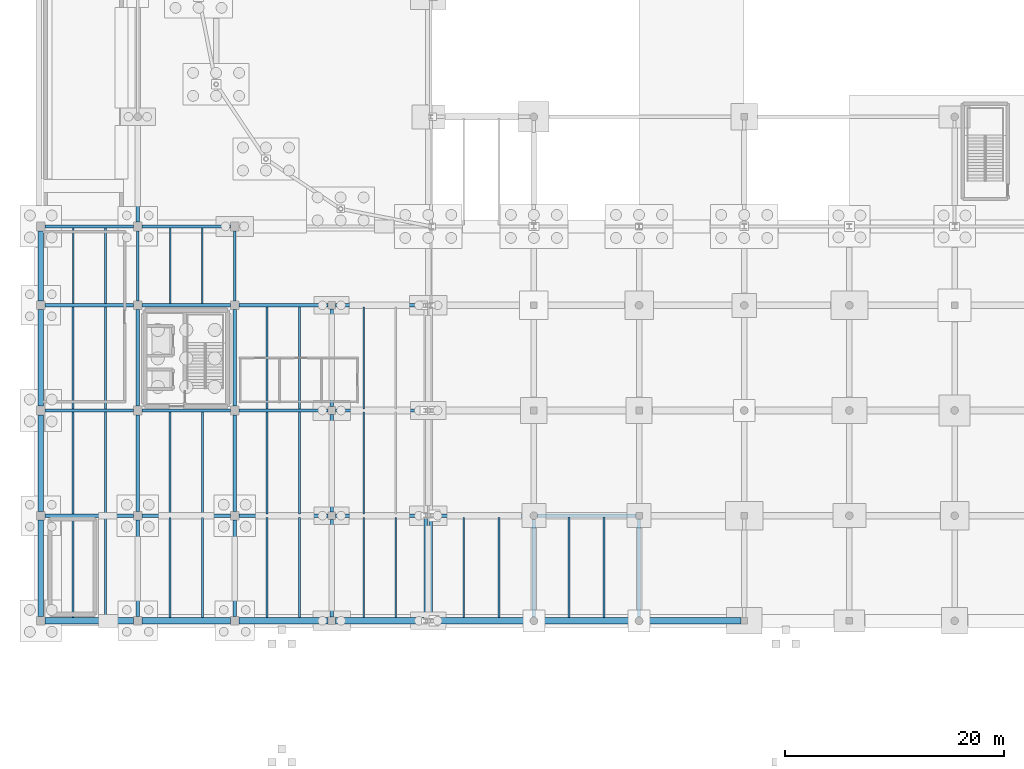
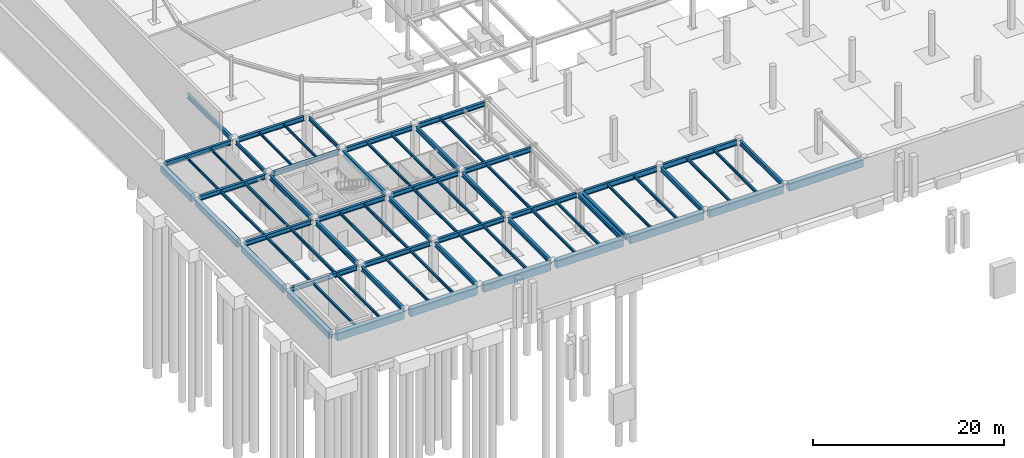
# One storey, part 31 of 50: 71 beams.
"""IFC4 building model written with IfcOpenShell, lengths in metres."""

import ifcopenshell
import ifcopenshell.guid

model = None  # the IFC model being written
_history = None  # IfcOwnerHistory: only IFC2X3 demands one
_inside = {}  # id of a spatial element -> (the spatial element, [elements in it])
_under = {}  # id of a project, library or spatial element -> (it, [spatial elements below it])
_declared = {}  # id of a project -> (the project, [libraries it declares])
_typed = {}  # id of a type object -> (the type object, [elements of that type])
_made_of = {}  # id of a material, layer set ... -> (it, [elements and type objects made of it])


def new_model(schema):
    """Start an empty IFC model of exactly this schema.

    Asked for "IFC4X3", IfcOpenShell would pick the latest addendum, in which some entities
    have other attributes; the version numbers below select the first issue.
    IFC2X3 requires an IfcOwnerHistory on every rooted entity: one is made here for all.
    """
    global model, _history
    if schema == "IFC4X3":
        model = ifcopenshell.file(schema_version=(4, 3, 0, 0))
    else:
        model = ifcopenshell.file(schema=schema)
    _inside.clear()
    _under.clear()
    _declared.clear()
    _typed.clear()
    _made_of.clear()
    _history = None
    if model.schema == "IFC2X3":
        org = make("IfcOrganization", Name="unknown")
        user = make(
            "IfcPersonAndOrganization",
            ThePerson=make("IfcPerson", FamilyName="unknown"),
            TheOrganization=org,
        )
        app = make(
            "IfcApplication",
            ApplicationDeveloper=org,
            Version="unknown",
            ApplicationFullName="unknown",
            ApplicationIdentifier="unknown",
        )
        _history = make(
            "IfcOwnerHistory",
            OwningUser=user,
            OwningApplication=app,
            ChangeAction="ADDED",
            CreationDate=0,
        )
    return model


def make(cls, **values):
    """One entity of the class cls with the attributes given. An attribute that is None is left unset."""
    return model.create_entity(
        cls, **{name: value for name, value in values.items() if value is not None}
    )


def rooted(cls, **values):
    """An entity with a GlobalId (a new one), such as an element, a storey or a relation."""
    return make(cls, GlobalId=ifcopenshell.guid.new(), OwnerHistory=_history, **values)


def si_unit(unit_type, name, prefix=None):
    """IfcSIUnit, for example si_unit("LENGTHUNIT", "METRE", prefix="MILLI")."""
    return make("IfcSIUnit", UnitType=unit_type, Prefix=prefix, Name=name)


def assignment(units):
    """IfcUnitAssignment: the units of a project."""
    return None if units is None else make("IfcUnitAssignment", Units=units)


def point(xyz):
    """IfcCartesianPoint."""
    return None if xyz is None else make("IfcCartesianPoint", Coordinates=xyz)


def direction(xyz):
    """IfcDirection."""
    return None if xyz is None else make("IfcDirection", DirectionRatios=xyz)


def frame(location, z_axis=None, x_axis=None):
    """IfcAxis2Placement3D, a coordinate frame: its origin and axes. An axis left out is left unset."""
    return make(
        "IfcAxis2Placement3D",
        Location=point(location),
        Axis=direction(z_axis),
        RefDirection=direction(x_axis),
    )


def frame_2d(location, x_axis=None):
    """IfcAxis2Placement2D, a coordinate frame in the plane: its origin and x axis."""
    return make(
        "IfcAxis2Placement2D", Location=point(location), RefDirection=direction(x_axis)
    )


def origin():
    """The frame at (0, 0, 0) with its axes left unset."""
    return frame((0.0, 0.0, 0.0))


def origin_2d():
    """The frame at (0, 0) in the plane with its x axis left unset."""
    return frame_2d((0.0, 0.0))


def place(relative_to, where):
    """IfcLocalPlacement: puts the frame where relative to a parent placement (None: the world)."""
    return make(
        "IfcLocalPlacement", PlacementRelTo=relative_to, RelativePlacement=where
    )


def context(
    kind, dimensions, precision=None, world=None, true_north=None, identifier=None
):
    """IfcGeometricRepresentationContext, for example the 3D "Model" context."""
    return make(
        "IfcGeometricRepresentationContext",
        ContextIdentifier=identifier,
        ContextType=kind,
        CoordinateSpaceDimension=dimensions,
        Precision=precision,
        WorldCoordinateSystem=world,
        TrueNorth=true_north,
    )


def subcontext(parent, identifier, kind, view, scale=None):
    """IfcGeometricRepresentationSubContext, for example "Body" below "Model"."""
    return make(
        "IfcGeometricRepresentationSubContext",
        ContextIdentifier=identifier,
        ContextType=kind,
        ParentContext=parent,
        TargetScale=scale,
        TargetView=view,
    )


def project(units=None, contexts=None):
    """IfcProject with its units and contexts."""
    return rooted(
        "IfcProject",
        Name="project",
        RepresentationContexts=contexts,
        UnitsInContext=assignment(units),
    )


def spatial(cls, under=None, at=None, **own):
    """A site, building, storey or space (cls), placed at a placement, below another one or the project."""
    s = rooted(cls, ObjectPlacement=at, **own)
    if under is not None:
        _under.setdefault(under.id(), (under, []))[1].append(s)
    return s


def profile(cls, at=None, kind="AREA", **sizes):
    """A parametric profile (cls). Its sizes go by their IFC names, for example OverallWidth=200.0."""
    return make(cls, ProfileType=kind, Position=at, **sizes)


def rectangle(**sizes):
    """IfcRectangleProfileDef."""
    return profile("IfcRectangleProfileDef", **sizes)


def i_section(**sizes):
    """IfcIShapeProfileDef."""
    return profile("IfcIShapeProfileDef", **sizes)


def extrude(swept, where, along, depth):
    """IfcExtrudedAreaSolid: the profile swept, set in the frame where, extruded along a direction by depth."""
    return make(
        "IfcExtrudedAreaSolid",
        SweptArea=swept,
        Position=where,
        ExtrudedDirection=direction(along),
        Depth=depth,
    )


def shape(context_of_items, identifier, shape_type, items):
    """IfcShapeRepresentation: the items that make up one representation, for example the "Body"."""
    return make(
        "IfcShapeRepresentation",
        ContextOfItems=context_of_items,
        RepresentationIdentifier=identifier,
        RepresentationType=shape_type,
        Items=items,
    )


def material(Name=None, Category=None):
    """IfcMaterial."""
    return make("IfcMaterial", Name=Name, Category=Category)


def material_profile(
    of_material, cross_section, Name=None, Category=None, Priority=None
):
    """IfcMaterialProfile: a cross section and its material."""
    return make(
        "IfcMaterialProfile",
        Name=Name,
        Material=of_material,
        Profile=cross_section,
        Priority=Priority,
        Category=Category,
    )


def profile_set(profiles, Name=None, composite=None):
    """IfcMaterialProfileSet."""
    return make(
        "IfcMaterialProfileSet",
        Name=Name,
        MaterialProfiles=profiles,
        CompositeProfile=composite,
    )


def made_of(thing, what):
    """Note that an element or type object is made of a material, layer set ...; save() writes the relation."""
    if what is not None:
        _made_of.setdefault(what.id(), (what, []))[1].append(thing)
    return thing


def type_object(cls, material=None, **own):
    """A type object (cls), such as IfcWallType, which elements share."""
    return made_of(rooted(cls, **own), material)


def element(
    cls,
    number,
    at=None,
    inside=None,
    cuts=None,
    type_object=None,
    material=None,
    context=None,
    identifier="Body",
    shape_type=None,
    held_by="IfcProductDefinitionShape",
    body=None,
    shapes=None,
    **own,
):
    """One element of the class cls, such as IfcWall. Its Tag is "e" and its number.

    at: its placement. inside: the storey or other place that contains it. cuts: it is an
    opening in that element (IfcRelVoidsElement). A single representation is given by context,
    identifier, shape_type and body (its items); several are given by shapes. held_by: the class
    of the entity that holds the representations. save() writes the other relations.
    """
    e = rooted(cls, Tag="e%d" % number, ObjectPlacement=at, **own)
    if body is not None:
        shapes = [shape(context, identifier, shape_type, body)]
    if shapes is not None:
        e.Representation = make(held_by, Representations=shapes)
    if inside is not None:
        _inside.setdefault(inside.id(), (inside, []))[1].append(e)
    if cuts is not None:
        rooted(
            "IfcRelVoidsElement", RelatingBuildingElement=cuts, RelatedOpeningElement=e
        )
    if type_object is not None:
        _typed.setdefault(type_object.id(), (type_object, []))[1].append(e)
    return made_of(e, material)


def aggregate(whole, parts):
    """IfcRelAggregates: a whole, such as a stair, and the parts it consists of."""
    return rooted("IfcRelAggregates", RelatingObject=whole, RelatedObjects=parts)


def save(model, path):
    """Write the relations noted so far, then the file.

    IfcRelAggregates (storeys below a building ...), IfcRelContainedInSpatialStructure (elements
    in a storey), IfcRelDefinesByType, IfcRelAssociatesMaterial and IfcRelDeclares: one each for
    every whole, place, type object, material and project.
    """
    for whole, parts in _under.values():
        aggregate(whole, parts)
    for where, things in _inside.values():
        rooted(
            "IfcRelContainedInSpatialStructure",
            RelatedElements=things,
            RelatingStructure=where,
        )
    for kind, things in _typed.values():
        rooted("IfcRelDefinesByType", RelatedObjects=things, RelatingType=kind)
    for what, things in _made_of.values():
        rooted("IfcRelAssociatesMaterial", RelatedObjects=things, RelatingMaterial=what)
    for by, libraries in _declared.values():
        rooted("IfcRelDeclares", RelatingContext=by, RelatedDefinitions=libraries)
    model.write(path)


model = new_model("IFC4")

# Units and contexts
model_context = context("Model", 3, precision=1e-05, world=origin(), true_north=direction((0.0, 1.0)))
body_context = subcontext(model_context, "Body", "Model", "MODEL_VIEW")
ifc_project = project(units=[si_unit("LENGTHUNIT", "METRE"), si_unit("AREAUNIT", "SQUARE_METRE"), si_unit("VOLUMEUNIT", "CUBIC_METRE"), si_unit("PLANEANGLEUNIT", "RADIAN"), si_unit("MASSUNIT", "GRAM", prefix="KILO")], contexts=[model_context])

# Site, building, storey
site_placement = place(None, origin())
site = spatial("IfcSite", under=ifc_project, at=site_placement, CompositionType="ELEMENT")
building_placement = place(site_placement, origin())
building = spatial("IfcBuilding", under=site, at=building_placement, Name="Yeouljin Market Hall", CompositionType="ELEMENT")
storey_placement = place(building_placement, frame((0.0, 0.0, -5.39990234375)))
storey = spatial("IfcBuildingStorey", under=building, at=storey_placement, Name="B1", CompositionType="ELEMENT", Elevation=-5.39990234375)

# Beams
ifc_material_1 = material(Name="Steel SM355", Category="steel")
ifc_material_profile_1 = material_profile(ifc_material_1, i_section(OverallWidth=0.199951171875, OverallDepth=0.449951171875, WebThickness=0.009033203125, FlangeThickness=0.013916015625, FilletRadius=0.01806640625, at=origin_2d()), Name="H-450x200x9x14")
ifc_profile_set_1 = profile_set([ifc_material_profile_1], Name="Steel SM355")
beam_type_1 = type_object("IfcBeamType", Name="Beam_H-450x200x9x14", PredefinedType="BEAM", material=ifc_profile_set_1)
for number, where, z_axis, x_axis, name in (
    (1, (8.85009765625, 29.199951171875, 4.914794921875), (0.0, 1.0, 0.0), (-1.0, 0.0, 0.0), "Primary beam BM-L00-Y145"),
    (2, (17.699951171875, 29.199951171875, 4.9248046875), (0.0, 1.0, 0.0), (-1.0, 0.0, 0.0), "Primary beam BM-L00-Y155"),
):
    element("IfcBeam", number, at=place(storey_placement, frame(where, z_axis=z_axis, x_axis=x_axis)), inside=storey, type_object=beam_type_1, Name=name, PredefinedType="BEAM", context=body_context, shape_type="SweptSolid", body=[
        extrude(i_section(OverallWidth=0.199951171875, OverallDepth=0.449951171875, WebThickness=0.009033203125, FlangeThickness=0.013916015625, FilletRadius=0.01806640625, at=origin_2d()), origin(), (0.0, 0.0, 1.0), 6.400146484375),
    ])
ifc_material_2 = material(Name="Concrete C30/37", Category="concrete")
ifc_material_profile_2 = material_profile(ifc_material_2, rectangle(XDim=0.5, YDim=0.800048828125, at=origin_2d()), Name="RC-500x800")
ifc_profile_set_2 = profile_set([ifc_material_profile_2], Name="Concrete C30/37")
beam_type_2 = type_object("IfcBeamType", Name="Beam_RC-500x800", PredefinedType="BEAM", material=ifc_profile_set_2)
for number, where, z_axis, x_axis, name in (
    (3, (0.0, 0.39990234375, 4.75), (0.0, 1.0, 0.0), (-1.0, 0.0, 0.0), "Primary beam BM-L00-Y137"),
    (4, (0.0, 10.0, 4.75), (0.0, 1.0, 0.0), (-1.0, 0.0, 0.0), "Primary beam BM-L00-Y138"),
):
    element("IfcBeam", number, at=place(storey_placement, frame(where, z_axis=z_axis, x_axis=x_axis)), inside=storey, type_object=beam_type_2, Name=name, PredefinedType="BEAM", context=body_context, shape_type="SweptSolid", body=[
        extrude(rectangle(XDim=0.5, YDim=0.800048828125, at=origin_2d()), origin(), (0.0, 0.0, 1.0), 8.800048828125),
    ])
beam_1_placement = place(storey_placement, frame((0.0, 19.60009765625, 4.75), z_axis=(0.0, 1.0, 0.0), x_axis=(-1.0, 0.0, 0.0)))
element("IfcBeam", 5, at=beam_1_placement, inside=storey, type_object=beam_type_2, Name="Primary beam BM-L00-Y139", PredefinedType="BEAM", context=body_context, shape_type="SweptSolid", body=[
    extrude(rectangle(XDim=0.5, YDim=0.800048828125, at=origin_2d()), origin(), (0.0, 0.0, 1.0), 8.7998046875),
])
beam_2_placement = place(storey_placement, frame((0.0, 29.199951171875, 4.739990234375), z_axis=(0.0, 1.0, 0.0), x_axis=(-1.0, 0.0, 0.0)))
element("IfcBeam", 6, at=beam_2_placement, inside=storey, type_object=beam_type_2, Name="Primary beam BM-L00-Y140", PredefinedType="BEAM", context=body_context, shape_type="SweptSolid", body=[
    extrude(rectangle(XDim=0.5, YDim=0.800048828125, at=origin_2d()), origin(), (0.0, 0.0, 1.0), 6.400146484375),
])
ifc_material_3 = material(Name="Steel SM355", Category="steel")
ifc_material_profile_3 = material_profile(ifc_material_3, i_section(OverallWidth=0.300048828125, OverallDepth=0.587890625, WebThickness=0.011962890625, FlangeThickness=0.02001953125, FilletRadius=0.02392578125, at=origin_2d()), Name="H-588x300x12x20")
ifc_profile_set_3 = profile_set([ifc_material_profile_3], Name="Steel SM355")
beam_type_3 = type_object("IfcBeamType", Name="Girder_H-588x300x12x20", PredefinedType="USERDEFINED", material=ifc_profile_set_3)
for number, where, z_axis, x_axis, name in (
    (7, (0.39990234375, 9.60009765625, 4.85595703125), (1.0, 0.0, 0.0), (0.0, 1.0, 0.0), "Primary girder GRD-L00-X015"),
    (8, (9.25, 9.60009765625, 4.85595703125), (1.0, 0.0, 0.0), (0.0, 1.0, 0.0), "Primary girder GRD-L00-X016"),
):
    element("IfcBeam", number, at=place(storey_placement, frame(where, z_axis=z_axis, x_axis=x_axis)), inside=storey, type_object=beam_type_3, Name=name, ObjectType="GIRDER", PredefinedType="USERDEFINED", context=body_context, shape_type="SweptSolid", body=[
        extrude(i_section(OverallWidth=0.300048828125, OverallDepth=0.587890625, WebThickness=0.011962890625, FlangeThickness=0.02001953125, FilletRadius=0.02392578125, at=origin_2d()), origin(), (0.0, 0.0, 1.0), 8.050048828125),
    ])
beam_3_placement = place(storey_placement, frame((18.10009765625, 9.60009765625, 4.85595703125), z_axis=(1.0, 0.0, 0.0), x_axis=(0.0, 1.0, 0.0)))
element("IfcBeam", 9, at=beam_3_placement, inside=storey, type_object=beam_type_3, Name="Primary girder GRD-L00-X017", ObjectType="GIRDER", PredefinedType="USERDEFINED", context=body_context, shape_type="SweptSolid", body=[
    extrude(i_section(OverallWidth=0.300048828125, OverallDepth=0.587890625, WebThickness=0.011962890625, FlangeThickness=0.02001953125, FilletRadius=0.02392578125, at=origin_2d()), origin(), (0.0, 0.0, 1.0), 8.099853515625),
])
beam_4_placement = place(storey_placement, frame((26.89990234375, 9.60009765625, 4.85595703125), z_axis=(1.0, 0.0, 0.0), x_axis=(0.0, 1.0, 0.0)))
element("IfcBeam", 10, at=beam_4_placement, inside=storey, type_object=beam_type_3, Name="Primary girder GRD-L00-X018", ObjectType="GIRDER", PredefinedType="USERDEFINED", context=body_context, shape_type="SweptSolid", body=[
    extrude(i_section(OverallWidth=0.300048828125, OverallDepth=0.587890625, WebThickness=0.011962890625, FlangeThickness=0.02001953125, FilletRadius=0.02392578125, at=origin_2d()), origin(), (0.0, 0.0, 1.0), 8.05517578125),
])
for number, where, z_axis, x_axis, name in (
    (11, (0.39990234375, 19.199951171875, 4.85595703125), (1.0, 0.0, 0.0), (0.0, 1.0, 0.0), "Primary girder GRD-L00-X027"),
    (12, (9.25, 19.199951171875, 4.85595703125), (1.0, 0.0, 0.0), (0.0, 1.0, 0.0), "Primary girder GRD-L00-X028"),
):
    element("IfcBeam", number, at=place(storey_placement, frame(where, z_axis=z_axis, x_axis=x_axis)), inside=storey, type_object=beam_type_3, Name=name, ObjectType="GIRDER", PredefinedType="USERDEFINED", context=body_context, shape_type="SweptSolid", body=[
        extrude(i_section(OverallWidth=0.300048828125, OverallDepth=0.587890625, WebThickness=0.011962890625, FlangeThickness=0.02001953125, FilletRadius=0.02392578125, at=origin_2d()), origin(), (0.0, 0.0, 1.0), 8.050048828125),
    ])
beam_5_placement = place(storey_placement, frame((18.10009765625, 19.199951171875, 4.85595703125), z_axis=(1.0, 0.0, 0.0), x_axis=(0.0, 1.0, 0.0)))
element("IfcBeam", 13, at=beam_5_placement, inside=storey, type_object=beam_type_3, Name="Primary girder GRD-L00-X029", ObjectType="GIRDER", PredefinedType="USERDEFINED", context=body_context, shape_type="SweptSolid", body=[
    extrude(i_section(OverallWidth=0.300048828125, OverallDepth=0.587890625, WebThickness=0.011962890625, FlangeThickness=0.02001953125, FilletRadius=0.02392578125, at=origin_2d()), origin(), (0.0, 0.0, 1.0), 8.099853515625),
])
beam_6_placement = place(storey_placement, frame((26.89990234375, 19.199951171875, 4.85595703125), z_axis=(1.0, 0.0, 0.0), x_axis=(0.0, 1.0, 0.0)))
element("IfcBeam", 14, at=beam_6_placement, inside=storey, type_object=beam_type_3, Name="Primary girder GRD-L00-X030", ObjectType="GIRDER", PredefinedType="USERDEFINED", context=body_context, shape_type="SweptSolid", body=[
    extrude(i_section(OverallWidth=0.300048828125, OverallDepth=0.587890625, WebThickness=0.011962890625, FlangeThickness=0.02001953125, FilletRadius=0.02392578125, at=origin_2d()), origin(), (0.0, 0.0, 1.0), 8.05517578125),
])
for number, where, z_axis, x_axis, name in (
    (15, (0.39990234375, 28.800048828125, 4.845947265625), (1.0, 0.0, 0.0), (0.0, 1.0, 0.0), "Primary girder GRD-L00-X035"),
    (16, (9.25, 28.800048828125, 4.845947265625), (1.0, 0.0, 0.0), (0.0, 1.0, 0.0), "Primary girder GRD-L00-X036"),
):
    element("IfcBeam", number, at=place(storey_placement, frame(where, z_axis=z_axis, x_axis=x_axis)), inside=storey, type_object=beam_type_3, Name=name, ObjectType="GIRDER", PredefinedType="USERDEFINED", context=body_context, shape_type="SweptSolid", body=[
        extrude(i_section(OverallWidth=0.300048828125, OverallDepth=0.587890625, WebThickness=0.011962890625, FlangeThickness=0.02001953125, FilletRadius=0.02392578125, at=origin_2d()), origin(), (0.0, 0.0, 1.0), 8.050048828125),
    ])
beam_7_placement = place(storey_placement, frame((18.10009765625, 28.800048828125, 4.85595703125), z_axis=(1.0, 0.0, 0.0), x_axis=(0.0, 1.0, 0.0)))
element("IfcBeam", 17, at=beam_7_placement, inside=storey, type_object=beam_type_3, Name="Primary girder GRD-L00-X037", ObjectType="GIRDER", PredefinedType="USERDEFINED", context=body_context, shape_type="SweptSolid", body=[
    extrude(i_section(OverallWidth=0.300048828125, OverallDepth=0.587890625, WebThickness=0.011962890625, FlangeThickness=0.02001953125, FilletRadius=0.02392578125, at=origin_2d()), origin(), (0.0, 0.0, 1.0), 8.099853515625),
])
beam_8_placement = place(storey_placement, frame((26.89990234375, 28.800048828125, 4.85595703125), z_axis=(1.0, 0.0, 0.0), x_axis=(0.0, 1.0, 0.0)))
element("IfcBeam", 18, at=beam_8_placement, inside=storey, type_object=beam_type_3, Name="Primary girder GRD-L00-X038", ObjectType="GIRDER", PredefinedType="USERDEFINED", context=body_context, shape_type="SweptSolid", body=[
    extrude(i_section(OverallWidth=0.300048828125, OverallDepth=0.587890625, WebThickness=0.011962890625, FlangeThickness=0.02001953125, FilletRadius=0.02392578125, at=origin_2d()), origin(), (0.0, 0.0, 1.0), 8.05517578125),
])
for number, where, z_axis, x_axis, name in (
    (19, (0.39990234375, 36.0, 4.845947265625), (1.0, 0.0, 0.0), (0.0, 1.0, 0.0), "Primary girder GRD-L00-X043"),
    (20, (9.25, 36.0, 4.845947265625), (1.0, 0.0, 0.0), (0.0, 1.0, 0.0), "Primary girder GRD-L00-X044"),
):
    element("IfcBeam", number, at=place(storey_placement, frame(where, z_axis=z_axis, x_axis=x_axis)), inside=storey, type_object=beam_type_3, Name=name, ObjectType="GIRDER", PredefinedType="USERDEFINED", context=body_context, shape_type="SweptSolid", body=[
        extrude(i_section(OverallWidth=0.300048828125, OverallDepth=0.587890625, WebThickness=0.011962890625, FlangeThickness=0.02001953125, FilletRadius=0.02392578125, at=origin_2d()), origin(), (0.0, 0.0, 1.0), 8.050048828125),
    ])
for number, where, z_axis, x_axis, name in (
    (21, (8.85009765625, 0.39990234375, 4.85595703125), (0.0, 1.0, 0.0), (-1.0, 0.0, 0.0), "Primary beam BM-L00-Y142"),
    (22, (8.85009765625, 10.0, 4.85595703125), (0.0, 1.0, 0.0), (-1.0, 0.0, 0.0), "Primary beam BM-L00-Y143"),
):
    element("IfcBeam", number, at=place(storey_placement, frame(where, z_axis=z_axis, x_axis=x_axis)), inside=storey, type_object=beam_type_3, Name=name, ObjectType="GIRDER", PredefinedType="USERDEFINED", context=body_context, shape_type="SweptSolid", body=[
        extrude(i_section(OverallWidth=0.300048828125, OverallDepth=0.587890625, WebThickness=0.011962890625, FlangeThickness=0.02001953125, FilletRadius=0.02392578125, at=origin_2d()), origin(), (0.0, 0.0, 1.0), 8.800048828125),
    ])
beam_9_placement = place(storey_placement, frame((8.85009765625, 19.60009765625, 4.85595703125), z_axis=(0.0, 1.0, 0.0), x_axis=(-1.0, 0.0, 0.0)))
element("IfcBeam", 23, at=beam_9_placement, inside=storey, type_object=beam_type_3, Name="Primary beam BM-L00-Y144", ObjectType="GIRDER", PredefinedType="USERDEFINED", context=body_context, shape_type="SweptSolid", body=[
    extrude(i_section(OverallWidth=0.300048828125, OverallDepth=0.587890625, WebThickness=0.011962890625, FlangeThickness=0.02001953125, FilletRadius=0.02392578125, at=origin_2d()), origin(), (0.0, 0.0, 1.0), 8.7998046875),
])
beam_10_placement = place(storey_placement, frame((8.85009765625, 36.39990234375, 4.85595703125), z_axis=(0.0, 1.0, 0.0), x_axis=(-1.0, 0.0, 0.0)))
element("IfcBeam", 24, at=beam_10_placement, inside=storey, type_object=beam_type_3, Name="Primary beam BM-L00-Y146", ObjectType="GIRDER", PredefinedType="USERDEFINED", context=body_context, shape_type="SweptSolid", body=[
    extrude(i_section(OverallWidth=0.300048828125, OverallDepth=0.587890625, WebThickness=0.011962890625, FlangeThickness=0.02001953125, FilletRadius=0.02392578125, at=origin_2d()), origin(), (0.0, 0.0, 1.0), 9.25),
])
for number, where, z_axis, x_axis, name in (
    (25, (17.699951171875, 0.39990234375, 4.85595703125), (0.0, 1.0, 0.0), (-1.0, 0.0, 0.0), "Primary beam BM-L00-Y152"),
    (26, (17.699951171875, 10.0, 4.85595703125), (0.0, 1.0, 0.0), (-1.0, 0.0, 0.0), "Primary beam BM-L00-Y153"),
):
    element("IfcBeam", number, at=place(storey_placement, frame(where, z_axis=z_axis, x_axis=x_axis)), inside=storey, type_object=beam_type_3, Name=name, ObjectType="GIRDER", PredefinedType="USERDEFINED", context=body_context, shape_type="SweptSolid", body=[
        extrude(i_section(OverallWidth=0.300048828125, OverallDepth=0.587890625, WebThickness=0.011962890625, FlangeThickness=0.02001953125, FilletRadius=0.02392578125, at=origin_2d()), origin(), (0.0, 0.0, 1.0), 8.800048828125),
    ])
beam_11_placement = place(storey_placement, frame((17.699951171875, 19.60009765625, 4.85595703125), z_axis=(0.0, 1.0, 0.0), x_axis=(-1.0, 0.0, 0.0)))
element("IfcBeam", 27, at=beam_11_placement, inside=storey, type_object=beam_type_3, Name="Primary beam BM-L00-Y154", ObjectType="GIRDER", PredefinedType="USERDEFINED", context=body_context, shape_type="SweptSolid", body=[
    extrude(i_section(OverallWidth=0.300048828125, OverallDepth=0.587890625, WebThickness=0.011962890625, FlangeThickness=0.02001953125, FilletRadius=0.02392578125, at=origin_2d()), origin(), (0.0, 0.0, 1.0), 8.7998046875),
])
beam_12_placement = place(storey_placement, frame((26.550048828125, 0.35009765625, 4.85595703125), z_axis=(0.0, 1.0, 0.0), x_axis=(-1.0, 0.0, 0.0)))
element("IfcBeam", 28, at=beam_12_placement, inside=storey, type_object=beam_type_3, Name="Primary beam BM-L00-Y157", ObjectType="GIRDER", PredefinedType="USERDEFINED", context=body_context, shape_type="SweptSolid", body=[
    extrude(i_section(OverallWidth=0.300048828125, OverallDepth=0.587890625, WebThickness=0.011962890625, FlangeThickness=0.02001953125, FilletRadius=0.02392578125, at=origin_2d()), origin(), (0.0, 0.0, 1.0), 8.89990234375),
])
beam_13_placement = place(storey_placement, frame((26.550048828125, 9.949951171875, 4.85595703125), z_axis=(0.0, 1.0, 0.0), x_axis=(-1.0, 0.0, 0.0)))
element("IfcBeam", 29, at=beam_13_placement, inside=storey, type_object=beam_type_3, Name="Primary beam BM-L00-Y158", ObjectType="GIRDER", PredefinedType="USERDEFINED", context=body_context, shape_type="SweptSolid", body=[
    extrude(i_section(OverallWidth=0.300048828125, OverallDepth=0.587890625, WebThickness=0.011962890625, FlangeThickness=0.02001953125, FilletRadius=0.02392578125, at=origin_2d()), origin(), (0.0, 0.0, 1.0), 8.900146484375),
])
beam_14_placement = place(storey_placement, frame((26.550048828125, 19.550048828125, 4.85595703125), z_axis=(0.0, 1.0, 0.0), x_axis=(-1.0, 0.0, 0.0)))
element("IfcBeam", 30, at=beam_14_placement, inside=storey, type_object=beam_type_3, Name="Primary beam BM-L00-Y159", ObjectType="GIRDER", PredefinedType="USERDEFINED", context=body_context, shape_type="SweptSolid", body=[
    extrude(i_section(OverallWidth=0.300048828125, OverallDepth=0.587890625, WebThickness=0.011962890625, FlangeThickness=0.02001953125, FilletRadius=0.02392578125, at=origin_2d()), origin(), (0.0, 0.0, 1.0), 8.89990234375),
])
for number, where, z_axis, x_axis, name in (
    (31, (35.1298828125, 0.175048828125, 4.85595703125), (0.0, 1.0, 0.0), (-1.0, 0.0, 0.0), "Primary beam BM-L00-Y160"),
    (32, (35.590087890625, 0.175048828125, 4.85595703125), (0.0, 1.0, 0.0), (-1.0, 0.0, 0.0), "Primary beam BM-L00-Y163"),
):
    element("IfcBeam", number, at=place(storey_placement, frame(where, z_axis=z_axis, x_axis=x_axis)), inside=storey, type_object=beam_type_3, Name=name, ObjectType="GIRDER", PredefinedType="USERDEFINED", context=body_context, shape_type="SweptSolid", body=[
        extrude(i_section(OverallWidth=0.300048828125, OverallDepth=0.587890625, WebThickness=0.011962890625, FlangeThickness=0.02001953125, FilletRadius=0.02392578125, at=origin_2d()), origin(), (0.0, 0.0, 1.0), 9.25),
    ])
beam_15_placement = place(storey_placement, frame((45.0, 0.35009765625, 4.865966796875), z_axis=(0.0, 1.0, 0.0), x_axis=(-1.0, 0.0, 0.0)))
element("IfcBeam", 33, at=beam_15_placement, inside=storey, type_object=beam_type_3, Name="Primary beam BM-L00-Y172", ObjectType="GIRDER", PredefinedType="USERDEFINED", context=body_context, shape_type="SweptSolid", body=[
    extrude(i_section(OverallWidth=0.300048828125, OverallDepth=0.587890625, WebThickness=0.011962890625, FlangeThickness=0.02001953125, FilletRadius=0.02392578125, at=origin_2d()), origin(), (0.0, 0.0, 1.0), 8.89990234375),
])
beam_16_placement = place(storey_placement, frame((54.60009765625, 0.35009765625, 4.865966796875), z_axis=(0.0, 1.0, 0.0), x_axis=(-1.0, 0.0, 0.0)))
element("IfcBeam", 34, at=beam_16_placement, inside=storey, type_object=beam_type_3, Name="Primary beam BM-L00-Y179", ObjectType="GIRDER", PredefinedType="USERDEFINED", context=body_context, shape_type="SweptSolid", body=[
    extrude(i_section(OverallWidth=0.300048828125, OverallDepth=0.587890625, WebThickness=0.011962890625, FlangeThickness=0.02001953125, FilletRadius=0.02392578125, at=origin_2d()), origin(), (0.0, 0.0, 1.0), 8.949951171875),
])
ifc_material_4 = material(Name="Steel SM355", Category="steel")
ifc_material_profile_4 = material_profile(ifc_material_4, i_section(OverallWidth=0.300048828125, OverallDepth=0.699951171875, WebThickness=0.012939453125, FlangeThickness=0.02392578125, FilletRadius=0.02587890625, at=origin_2d()), Name="H-700x300x13x24")
ifc_profile_set_4 = profile_set([ifc_material_profile_4], Name="Steel SM355")
beam_type_4 = type_object("IfcBeamType", Name="Girder_H-700x300x13x24", PredefinedType="USERDEFINED", material=ifc_profile_set_4)
beam_17_placement = place(storey_placement, frame((35.764892578125, 9.60009765625, 4.809814453125), z_axis=(1.0, 0.0, 0.0), x_axis=(0.0, 1.0, 0.0)))
element("IfcBeam", 35, at=beam_17_placement, inside=storey, type_object=beam_type_4, Name="Primary girder GRD-L00-X019", ObjectType="GIRDER", PredefinedType="USERDEFINED", context=body_context, shape_type="SweptSolid", body=[
    extrude(i_section(OverallWidth=0.300048828125, OverallDepth=0.699951171875, WebThickness=0.012939453125, FlangeThickness=0.02392578125, FilletRadius=0.02587890625, at=origin_2d()), origin(), (0.0, 0.0, 1.0), 8.885009765625),
])
beam_18_placement = place(storey_placement, frame((45.35009765625, 9.60009765625, 4.809814453125), z_axis=(1.0, 0.0, 0.0), x_axis=(0.0, 1.0, 0.0)))
element("IfcBeam", 36, at=beam_18_placement, inside=storey, type_object=beam_type_4, Name="Primary girder GRD-L00-X020", ObjectType="GIRDER", PredefinedType="USERDEFINED", context=body_context, shape_type="SweptSolid", body=[
    extrude(i_section(OverallWidth=0.300048828125, OverallDepth=0.699951171875, WebThickness=0.012939453125, FlangeThickness=0.02392578125, FilletRadius=0.02587890625, at=origin_2d()), origin(), (0.0, 0.0, 1.0), 8.949951171875),
])
ifc_material_5 = material(Name="Concrete C35/45", Category="concrete")
ifc_material_profile_5 = material_profile(ifc_material_5, rectangle(XDim=0.60009765625, YDim=0.89990234375, at=origin_2d()), Name="RC-600x900")
ifc_profile_set_5 = profile_set([ifc_material_profile_5], Name="Concrete C35/45")
beam_type_5 = type_object("IfcBeamType", Name="Girder_RC-600x900", PredefinedType="USERDEFINED", material=ifc_profile_set_5)
for number, where, z_axis, x_axis, name in (
    (37, (0.39990234375, 0.0, 4.699951171875), (1.0, 0.0, 0.0), (0.0, 1.0, 0.0), "Primary girder GRD-L00-X001"),
    (38, (9.25, 0.0, 4.699951171875), (1.0, 0.0, 0.0), (0.0, 1.0, 0.0), "Primary girder GRD-L00-X002"),
):
    element("IfcBeam", number, at=place(storey_placement, frame(where, z_axis=z_axis, x_axis=x_axis)), inside=storey, type_object=beam_type_5, Name=name, ObjectType="GIRDER", PredefinedType="USERDEFINED", context=body_context, shape_type="SweptSolid", body=[
        extrude(rectangle(XDim=0.60009765625, YDim=0.89990234375, at=origin_2d()), origin(), (0.0, 0.0, 1.0), 8.050048828125),
    ])
beam_19_placement = place(storey_placement, frame((18.10009765625, 0.0, 4.699951171875), z_axis=(1.0, 0.0, 0.0), x_axis=(0.0, 1.0, 0.0)))
element("IfcBeam", 39, at=beam_19_placement, inside=storey, type_object=beam_type_5, Name="Primary girder GRD-L00-X003", ObjectType="GIRDER", PredefinedType="USERDEFINED", context=body_context, shape_type="SweptSolid", body=[
    extrude(rectangle(XDim=0.60009765625, YDim=0.89990234375, at=origin_2d()), origin(), (0.0, 0.0, 1.0), 8.099853515625),
])
beam_20_placement = place(storey_placement, frame((26.89990234375, 0.0, 4.699951171875), z_axis=(1.0, 0.0, 0.0), x_axis=(0.0, 1.0, 0.0)))
element("IfcBeam", 40, at=beam_20_placement, inside=storey, type_object=beam_type_5, Name="Primary girder GRD-L00-X004", ObjectType="GIRDER", PredefinedType="USERDEFINED", context=body_context, shape_type="SweptSolid", body=[
    extrude(rectangle(XDim=0.60009765625, YDim=0.89990234375, at=origin_2d()), origin(), (0.0, 0.0, 1.0), 8.05517578125),
])
beam_21_placement = place(storey_placement, frame((35.764892578125, 0.0, 4.7099609375), z_axis=(1.0, 0.0, 0.0), x_axis=(0.0, 1.0, 0.0)))
element("IfcBeam", 41, at=beam_21_placement, inside=storey, type_object=beam_type_5, Name="Primary girder GRD-L00-X005", ObjectType="GIRDER", PredefinedType="USERDEFINED", context=body_context, shape_type="SweptSolid", body=[
    extrude(rectangle(XDim=0.60009765625, YDim=0.89990234375, at=origin_2d()), origin(), (0.0, 0.0, 1.0), 8.885009765625),
])
beam_22_placement = place(storey_placement, frame((45.35009765625, 0.0, 4.7099609375), z_axis=(1.0, 0.0, 0.0), x_axis=(0.0, 1.0, 0.0)))
element("IfcBeam", 42, at=beam_22_placement, inside=storey, type_object=beam_type_5, Name="Primary girder GRD-L00-X006", ObjectType="GIRDER", PredefinedType="USERDEFINED", context=body_context, shape_type="SweptSolid", body=[
    extrude(rectangle(XDim=0.60009765625, YDim=0.89990234375, at=origin_2d()), origin(), (0.0, 0.0, 1.0), 8.89990234375),
])
beam_23_placement = place(storey_placement, frame((54.949951171875, 0.0, 4.7099609375), z_axis=(1.0, 0.0, 0.0), x_axis=(0.0, 1.0, 0.0)))
element("IfcBeam", 43, at=beam_23_placement, inside=storey, type_object=beam_type_5, Name="Primary girder GRD-L00-X007", ObjectType="GIRDER", PredefinedType="USERDEFINED", context=body_context, shape_type="SweptSolid", body=[
    extrude(rectangle(XDim=0.60009765625, YDim=0.89990234375, at=origin_2d()), origin(), (0.0, 0.0, 1.0), 8.949951171875),
])
ifc_material_6 = material(Name="Steel SM355", Category="steel")
ifc_material_profile_6 = material_profile(ifc_material_6, i_section(OverallWidth=0.14990234375, OverallDepth=0.300048828125, WebThickness=0.006591796875, FlangeThickness=0.009033203125, FilletRadius=0.012939453125, at=origin_2d()), Name="H-300x150x6.5x9")
ifc_profile_set_6 = profile_set([ifc_material_profile_6], Name="Steel SM355")
beam_type_6 = type_object("IfcBeamType", Name="Joist_H-300x150x6.5x9", PredefinedType="JOIST", material=ifc_profile_set_6)
for number, where, z_axis, x_axis, name in (
    (44, (2.949951171875, 28.947021484375, 4.989990234375), (0.0, 1.0, 0.0), (-1.0, 0.0, 0.0), "Secondary floor joist L00-007"),
    (45, (5.89990234375, 28.947021484375, 4.989990234375), (0.0, 1.0, 0.0), (-1.0, 0.0, 0.0), "Secondary floor joist L00-008"),
    (46, (11.800048828125, 28.947021484375, 4.989990234375), (0.0, 1.0, 0.0), (-1.0, 0.0, 0.0), "Secondary floor joist L00-015"),
    (47, (14.75, 28.947021484375, 4.989990234375), (0.0, 1.0, 0.0), (-1.0, 0.0, 0.0), "Secondary floor joist L00-016"),
):
    element("IfcBeam", number, at=place(storey_placement, frame(where, z_axis=z_axis, x_axis=x_axis)), inside=storey, type_object=beam_type_6, Name=name, PredefinedType="JOIST", context=body_context, shape_type="SweptSolid", body=[
        extrude(i_section(OverallWidth=0.14990234375, OverallDepth=0.300048828125, WebThickness=0.006591796875, FlangeThickness=0.009033203125, FilletRadius=0.012939453125, at=origin_2d()), origin(), (0.0, 0.0, 1.0), 6.906005859375),
    ])
ifc_material_7 = material(Name="Steel SM355", Category="steel")
ifc_material_profile_7 = material_profile(ifc_material_7, i_section(OverallWidth=0.175048828125, OverallDepth=0.35009765625, WebThickness=0.007080078125, FlangeThickness=0.010986328125, FilletRadius=0.013916015625, at=origin_2d()), Name="H-350x175x7x11")
ifc_profile_set_7 = profile_set([ifc_material_profile_7], Name="Steel SM355")
beam_type_7 = type_object("IfcBeamType", Name="Joist_H-350x175x7x11", PredefinedType="JOIST", material=ifc_profile_set_7)
for number, where, z_axis, x_axis, name in (
    (48, (2.949951171875, 0.297119140625, 4.974853515625), (0.0, 1.0, 0.0), (-1.0, 0.0, 0.0), "Secondary floor joist L00-001"),
    (49, (5.89990234375, 0.297119140625, 4.974853515625), (0.0, 1.0, 0.0), (-1.0, 0.0, 0.0), "Secondary floor joist L00-002"),
):
    element("IfcBeam", number, at=place(storey_placement, frame(where, z_axis=z_axis, x_axis=x_axis)), inside=storey, type_object=beam_type_7, Name=name, PredefinedType="JOIST", context=body_context, shape_type="SweptSolid", body=[
        extrude(i_section(OverallWidth=0.175048828125, OverallDepth=0.35009765625, WebThickness=0.007080078125, FlangeThickness=0.010986328125, FilletRadius=0.013916015625, at=origin_2d()), origin(), (0.0, 0.0, 1.0), 9.15576171875),
    ])
for number, where, z_axis, x_axis, name in (
    (50, (2.949951171875, 9.7470703125, 4.974853515625), (0.0, 1.0, 0.0), (-1.0, 0.0, 0.0), "Secondary floor joist L00-003"),
    (51, (5.89990234375, 9.7470703125, 4.974853515625), (0.0, 1.0, 0.0), (-1.0, 0.0, 0.0), "Secondary floor joist L00-004"),
):
    element("IfcBeam", number, at=place(storey_placement, frame(where, z_axis=z_axis, x_axis=x_axis)), inside=storey, type_object=beam_type_7, Name=name, PredefinedType="JOIST", context=body_context, shape_type="SweptSolid", body=[
        extrude(i_section(OverallWidth=0.175048828125, OverallDepth=0.35009765625, WebThickness=0.007080078125, FlangeThickness=0.010986328125, FilletRadius=0.013916015625, at=origin_2d()), origin(), (0.0, 0.0, 1.0), 9.305908203125),
    ])
for number, where, z_axis, x_axis, name in (
    (52, (2.949951171875, 19.346923828125, 4.96484375), (0.0, 1.0, 0.0), (-1.0, 0.0, 0.0), "Secondary floor joist L00-005"),
    (53, (5.89990234375, 19.346923828125, 4.96484375), (0.0, 1.0, 0.0), (-1.0, 0.0, 0.0), "Secondary floor joist L00-006"),
):
    element("IfcBeam", number, at=place(storey_placement, frame(where, z_axis=z_axis, x_axis=x_axis)), inside=storey, type_object=beam_type_7, Name=name, PredefinedType="JOIST", context=body_context, shape_type="SweptSolid", body=[
        extrude(i_section(OverallWidth=0.175048828125, OverallDepth=0.35009765625, WebThickness=0.007080078125, FlangeThickness=0.010986328125, FilletRadius=0.013916015625, at=origin_2d()), origin(), (0.0, 0.0, 1.0), 9.30615234375),
    ])
for number, where, z_axis, x_axis, name in (
    (54, (11.800048828125, 0.297119140625, 4.974853515625), (0.0, 1.0, 0.0), (-1.0, 0.0, 0.0), "Secondary floor joist L00-011"),
    (55, (14.75, 0.297119140625, 4.974853515625), (0.0, 1.0, 0.0), (-1.0, 0.0, 0.0), "Secondary floor joist L00-012"),
):
    element("IfcBeam", number, at=place(storey_placement, frame(where, z_axis=z_axis, x_axis=x_axis)), inside=storey, type_object=beam_type_7, Name=name, PredefinedType="JOIST", context=body_context, shape_type="SweptSolid", body=[
        extrude(i_section(OverallWidth=0.175048828125, OverallDepth=0.35009765625, WebThickness=0.007080078125, FlangeThickness=0.010986328125, FilletRadius=0.013916015625, at=origin_2d()), origin(), (0.0, 0.0, 1.0), 9.15576171875),
    ])
for number, where, z_axis, x_axis, name in (
    (56, (11.800048828125, 9.7470703125, 4.974853515625), (0.0, 1.0, 0.0), (-1.0, 0.0, 0.0), "Secondary floor joist L00-013"),
    (57, (14.75, 9.7470703125, 4.974853515625), (0.0, 1.0, 0.0), (-1.0, 0.0, 0.0), "Secondary floor joist L00-014"),
):
    element("IfcBeam", number, at=place(storey_placement, frame(where, z_axis=z_axis, x_axis=x_axis)), inside=storey, type_object=beam_type_7, Name=name, PredefinedType="JOIST", context=body_context, shape_type="SweptSolid", body=[
        extrude(i_section(OverallWidth=0.175048828125, OverallDepth=0.35009765625, WebThickness=0.007080078125, FlangeThickness=0.010986328125, FilletRadius=0.013916015625, at=origin_2d()), origin(), (0.0, 0.0, 1.0), 9.305908203125),
    ])
for number, where, z_axis, x_axis, name in (
    (58, (20.64990234375, 0.297119140625, 4.974853515625), (0.0, 1.0, 0.0), (-1.0, 0.0, 0.0), "Secondary floor joist L00-019"),
    (59, (23.60009765625, 0.297119140625, 4.974853515625), (0.0, 1.0, 0.0), (-1.0, 0.0, 0.0), "Secondary floor joist L00-020"),
):
    element("IfcBeam", number, at=place(storey_placement, frame(where, z_axis=z_axis, x_axis=x_axis)), inside=storey, type_object=beam_type_7, Name=name, PredefinedType="JOIST", context=body_context, shape_type="SweptSolid", body=[
        extrude(i_section(OverallWidth=0.175048828125, OverallDepth=0.35009765625, WebThickness=0.007080078125, FlangeThickness=0.010986328125, FilletRadius=0.013916015625, at=origin_2d()), origin(), (0.0, 0.0, 1.0), 9.15576171875),
    ])
for number, where, z_axis, x_axis, name in (
    (60, (20.64990234375, 9.7470703125, 4.974853515625), (0.0, 1.0, 0.0), (-1.0, 0.0, 0.0), "Secondary floor joist L00-021"),
    (61, (23.60009765625, 9.7470703125, 4.974853515625), (0.0, 1.0, 0.0), (-1.0, 0.0, 0.0), "Secondary floor joist L00-022"),
):
    element("IfcBeam", number, at=place(storey_placement, frame(where, z_axis=z_axis, x_axis=x_axis)), inside=storey, type_object=beam_type_7, Name=name, PredefinedType="JOIST", context=body_context, shape_type="SweptSolid", body=[
        extrude(i_section(OverallWidth=0.175048828125, OverallDepth=0.35009765625, WebThickness=0.007080078125, FlangeThickness=0.010986328125, FilletRadius=0.013916015625, at=origin_2d()), origin(), (0.0, 0.0, 1.0), 9.305908203125),
    ])
for number, where, z_axis, x_axis, name in (
    (62, (20.64990234375, 19.346923828125, 4.974853515625), (0.0, 1.0, 0.0), (-1.0, 0.0, 0.0), "Secondary floor joist L00-023"),
    (63, (23.60009765625, 19.346923828125, 4.974853515625), (0.0, 1.0, 0.0), (-1.0, 0.0, 0.0), "Secondary floor joist L00-024"),
):
    element("IfcBeam", number, at=place(storey_placement, frame(where, z_axis=z_axis, x_axis=x_axis)), inside=storey, type_object=beam_type_7, Name=name, PredefinedType="JOIST", context=body_context, shape_type="SweptSolid", body=[
        extrude(i_section(OverallWidth=0.175048828125, OverallDepth=0.35009765625, WebThickness=0.007080078125, FlangeThickness=0.010986328125, FilletRadius=0.013916015625, at=origin_2d()), origin(), (0.0, 0.0, 1.0), 9.30615234375),
    ])
for number, where, z_axis, x_axis, name in (
    (64, (29.473388671875, 0.297119140625, 4.974853515625), (0.0, 1.0, 0.0), (-1.0, 0.0, 0.0), "Secondary floor joist L00-025"),
    (65, (32.396728515625, 0.297119140625, 4.974853515625), (0.0, 1.0, 0.0), (-1.0, 0.0, 0.0), "Secondary floor joist L00-026"),
):
    element("IfcBeam", number, at=place(storey_placement, frame(where, z_axis=z_axis, x_axis=x_axis)), inside=storey, type_object=beam_type_7, Name=name, PredefinedType="JOIST", context=body_context, shape_type="SweptSolid", body=[
        extrude(i_section(OverallWidth=0.175048828125, OverallDepth=0.35009765625, WebThickness=0.007080078125, FlangeThickness=0.010986328125, FilletRadius=0.013916015625, at=origin_2d()), origin(), (0.0, 0.0, 1.0), 9.15576171875),
    ])
beam_24_placement = place(storey_placement, frame((29.473388671875, 9.7470703125, 4.974853515625), z_axis=(0.0, 1.0, 0.0), x_axis=(-1.0, 0.0, 0.0)))
element("IfcBeam", 66, at=beam_24_placement, inside=storey, type_object=beam_type_7, Name="Secondary floor joist L00-027", PredefinedType="JOIST", context=body_context, shape_type="SweptSolid", body=[
    extrude(i_section(OverallWidth=0.175048828125, OverallDepth=0.35009765625, WebThickness=0.007080078125, FlangeThickness=0.010986328125, FilletRadius=0.013916015625, at=origin_2d()), origin(), (0.0, 0.0, 1.0), 9.305908203125),
])
beam_25_placement = place(storey_placement, frame((29.473388671875, 19.346923828125, 4.974853515625), z_axis=(0.0, 1.0, 0.0), x_axis=(-1.0, 0.0, 0.0)))
element("IfcBeam", 67, at=beam_25_placement, inside=storey, type_object=beam_type_7, Name="Secondary floor joist L00-029", PredefinedType="JOIST", context=body_context, shape_type="SweptSolid", body=[
    extrude(i_section(OverallWidth=0.175048828125, OverallDepth=0.35009765625, WebThickness=0.007080078125, FlangeThickness=0.010986328125, FilletRadius=0.013916015625, at=origin_2d()), origin(), (0.0, 0.0, 1.0), 9.30615234375),
])
for number, where, z_axis, x_axis, name in (
    (68, (38.60009765625, 0.297119140625, 4.98486328125), (0.0, 1.0, 0.0), (-1.0, 0.0, 0.0), "Secondary floor joist L00-031"),
    (69, (41.800048828125, 0.297119140625, 4.98486328125), (0.0, 1.0, 0.0), (-1.0, 0.0, 0.0), "Secondary floor joist L00-032"),
    (70, (48.199951171875, 0.297119140625, 4.98486328125), (0.0, 1.0, 0.0), (-1.0, 0.0, 0.0), "Secondary floor joist L00-037"),
    (71, (51.39990234375, 0.297119140625, 4.98486328125), (0.0, 1.0, 0.0), (-1.0, 0.0, 0.0), "Secondary floor joist L00-038"),
):
    element("IfcBeam", number, at=place(storey_placement, frame(where, z_axis=z_axis, x_axis=x_axis)), inside=storey, type_object=beam_type_7, Name=name, PredefinedType="JOIST", context=body_context, shape_type="SweptSolid", body=[
        extrude(i_section(OverallWidth=0.175048828125, OverallDepth=0.35009765625, WebThickness=0.007080078125, FlangeThickness=0.010986328125, FilletRadius=0.013916015625, at=origin_2d()), origin(), (0.0, 0.0, 1.0), 9.15576171875),
    ])

save(model, "model.ifc")
